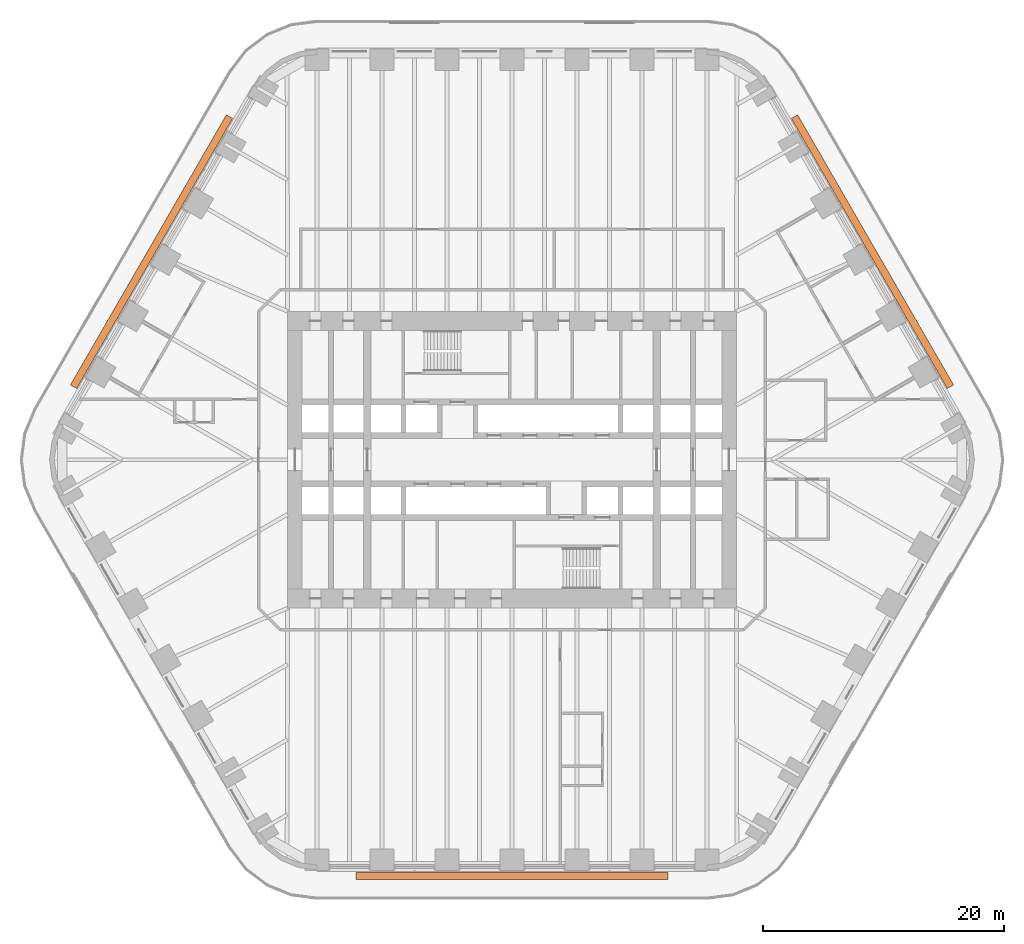
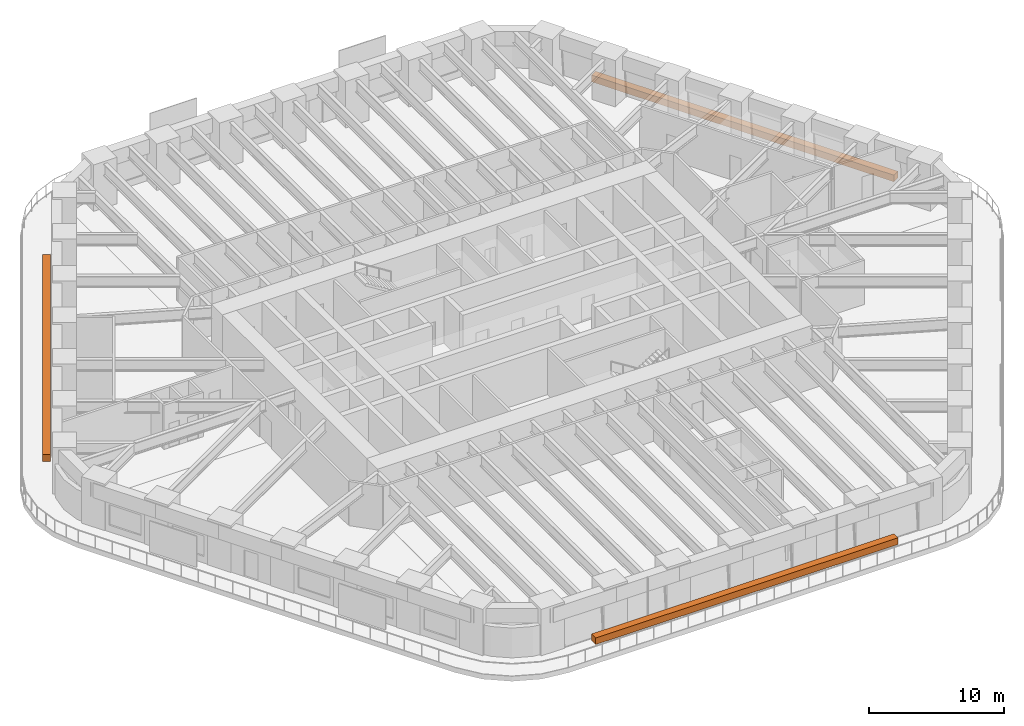
# One storey, part 23 of 23: 3 proxies.
"""IFC4 building model written with IfcOpenShell, lengths in metres."""

from ifc_helpers import new_model, si_unit, direction, frame, origin, origin_2d, place, context, subcontext, project, spatial, rectangle, extrude, material, element, save


model = new_model("IFC4")

# Units and contexts
model_context = context("Model", 3, precision=1e-05, world=origin(), true_north=direction((0.0, 1.0)))
body_context = subcontext(model_context, "Body", "Model", "MODEL_VIEW")
ifc_project = project(units=[si_unit("LENGTHUNIT", "METRE"), si_unit("AREAUNIT", "SQUARE_METRE"), si_unit("VOLUMEUNIT", "CUBIC_METRE"), si_unit("PLANEANGLEUNIT", "RADIAN"), si_unit("MASSUNIT", "GRAM", prefix="KILO")], contexts=[model_context])

# Site, building, storey
site_placement = place(None, origin())
site = spatial("IfcSite", under=ifc_project, at=site_placement, CompositionType="ELEMENT")
building_placement = place(site_placement, origin())
building = spatial("IfcBuilding", under=site, at=building_placement, Name="Tarfa Lantern Tower", CompositionType="ELEMENT")
storey_placement = place(building_placement, frame((0.0, 0.0, 44.5)))
storey = spatial("IfcBuildingStorey", under=building, at=storey_placement, Name="L09", CompositionType="ELEMENT", Elevation=44.5)

# Proxies
ifc_material = material(Name="Planting bed")
for number, where, z_axis, x_axis, name in (
    (1, (29.8779296875, 17.25, 0.0), (0.0, 0.0, 1.0), (-0.5, 0.866025403784, 0.0), "Balcony planter"),
    (2, (-29.8779296875, 17.25, 0.0), (0.0, 0.0, 1.0), (-0.5, -0.866025403784, 0.0), "Balcony planter"),
    (3, (0.0, -34.5, 0.0), (0.0, 0.0, 1.0), (1.0, 0.0, 0.0), "Balcony planter"),
):
    element("IfcBuildingElementProxy", number, at=place(storey_placement, frame(where, z_axis=z_axis, x_axis=x_axis)), inside=storey, material=ifc_material, Name=name, ObjectType="PLANTER", PredefinedType="USERDEFINED", context=body_context, shape_type="SweptSolid", body=[
        extrude(rectangle(XDim=25.865234375, YDim=0.60009765625, at=origin_2d()), origin(), (0.0, 0.0, 1.0), 0.60009765625),
    ])

save(model, "model.ifc")
